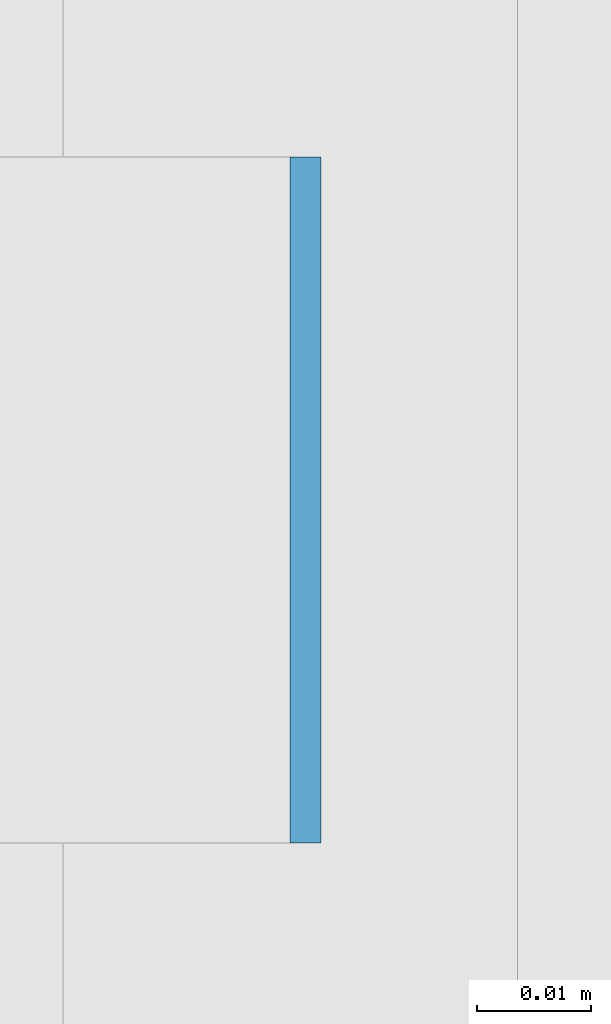
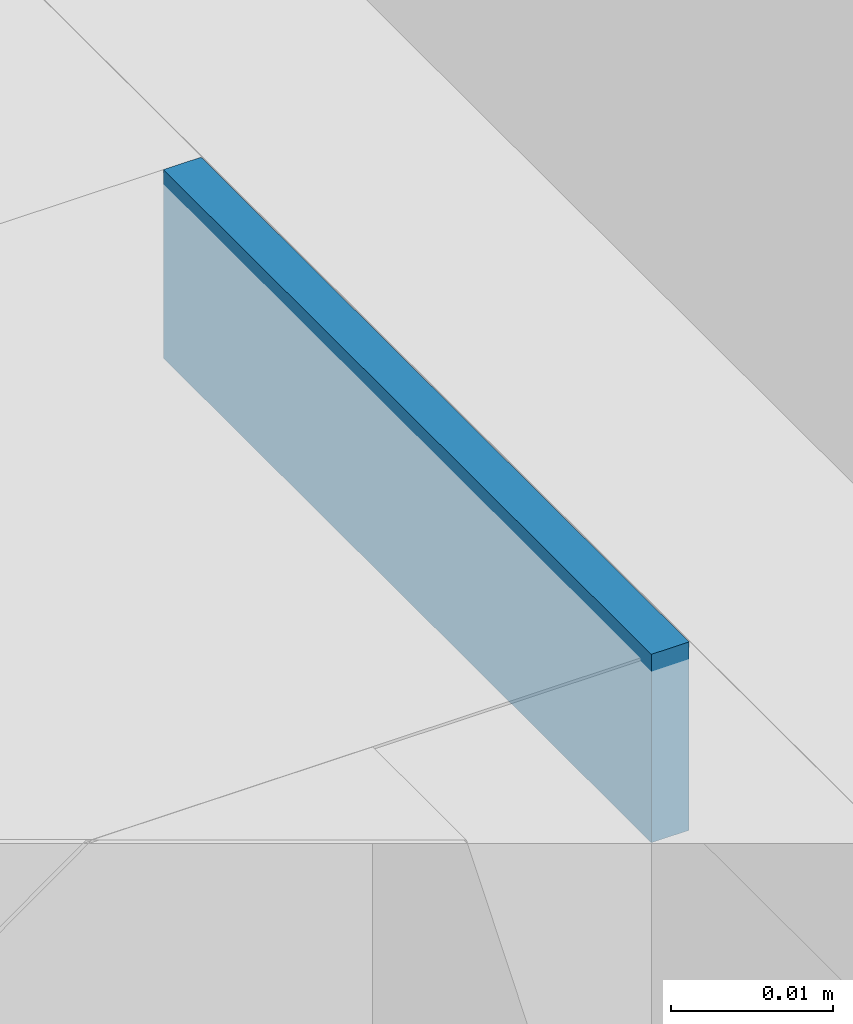
# One storey, part 291 of 646: 1 discrete accessory.
"""IFC4 building model written with IfcOpenShell, lengths in metres."""

from ifc_helpers import new_model, si_unit, direction, frame, origin, origin_2d, place, context, subcontext, project, spatial, rectangle, extrude, material, type_object, element, save


model = new_model("IFC4")

# Units and contexts
model_context = context("Model", 3, precision=1e-05, world=origin(), true_north=direction((0.0, 1.0)))
body_context = subcontext(model_context, "Body", "Model", "MODEL_VIEW")
ifc_project = project(units=[si_unit("LENGTHUNIT", "METRE"), si_unit("AREAUNIT", "SQUARE_METRE"), si_unit("VOLUMEUNIT", "CUBIC_METRE"), si_unit("PLANEANGLEUNIT", "RADIAN"), si_unit("MASSUNIT", "GRAM", prefix="KILO")], contexts=[model_context])

# Site, building, storey
site_placement = place(None, origin())
site = spatial("IfcSite", under=ifc_project, at=site_placement, CompositionType="ELEMENT")
building_placement = place(site_placement, origin())
building = spatial("IfcBuilding", under=site, at=building_placement, Name="Silverbay Arena", CompositionType="ELEMENT")
storey_placement = place(building_placement, frame((0.0, 0.0, 33.5)))
storey = spatial("IfcBuildingStorey", under=building, at=storey_placement, Name="L05", CompositionType="ELEMENT", Elevation=33.5)

# Discrete accessory
ifc_material = material(Name="Steel S355", Category="steel")
discrete_accessory_type = type_object("IfcDiscreteAccessoryType", Name="Steel bracket plate", PredefinedType="BRACKET", material=ifc_material)
discrete_accessory_placement = place(storey_placement, frame((53.871337890625, 57.857177734375, 12.98583984375), z_axis=(0.0, 0.0, 1.0), x_axis=(1.0, 0.0, 0.0)))
element("IfcDiscreteAccessory", 1, at=discrete_accessory_placement, inside=storey, type_object=discrete_accessory_type, Name="Curtain wall packing plate", PredefinedType="BRACKET", context=body_context, shape_type="SweptSolid", body=[
    extrude(rectangle(XDim=0.002685546875, YDim=0.06005859375, at=origin_2d()), origin(), (0.0, 0.0, 1.0), 0.01416015625),
])

save(model, "model.ifc")
